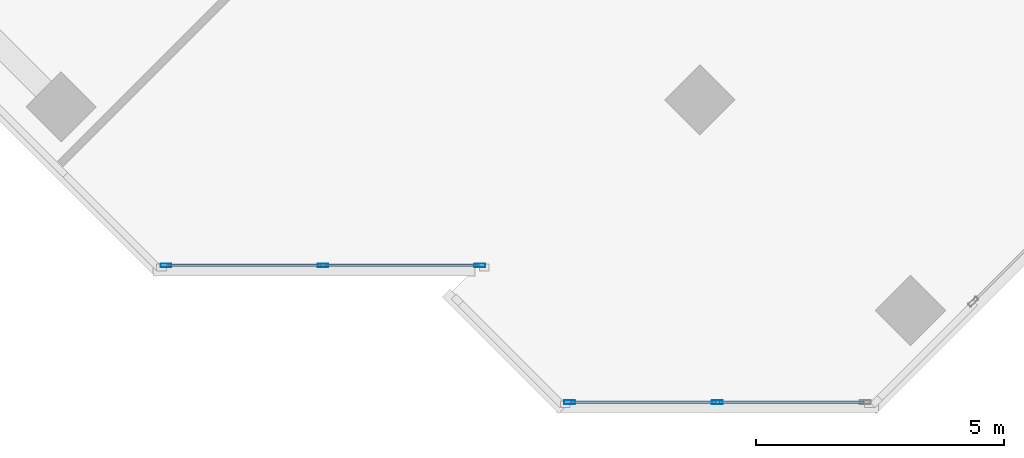
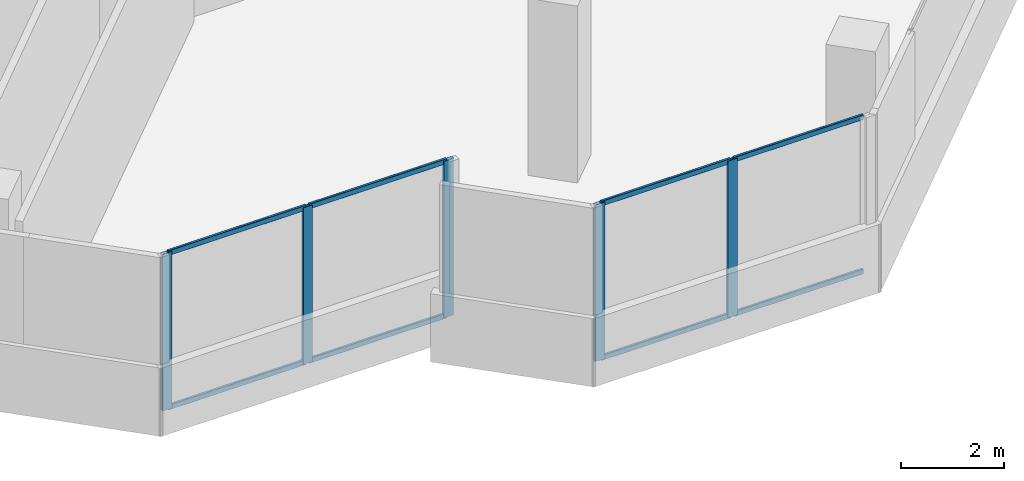
# One storey, part 3 of 18: 13 members, 2 elements without a shape of their own.
"""IFC4 building model written with IfcOpenShell, lengths in metres."""

import ifcopenshell
import ifcopenshell.guid

model = None  # the IFC model being written
_history = None  # IfcOwnerHistory: only IFC2X3 demands one
_inside = {}  # id of a spatial element -> (the spatial element, [elements in it])
_under = {}  # id of a project, library or spatial element -> (it, [spatial elements below it])
_declared = {}  # id of a project -> (the project, [libraries it declares])
_typed = {}  # id of a type object -> (the type object, [elements of that type])
_made_of = {}  # id of a material, layer set ... -> (it, [elements and type objects made of it])


def new_model(schema):
    """Start an empty IFC model of exactly this schema.

    Asked for "IFC4X3", IfcOpenShell would pick the latest addendum, in which some entities
    have other attributes; the version numbers below select the first issue.
    IFC2X3 requires an IfcOwnerHistory on every rooted entity: one is made here for all.
    """
    global model, _history
    if schema == "IFC4X3":
        model = ifcopenshell.file(schema_version=(4, 3, 0, 0))
    else:
        model = ifcopenshell.file(schema=schema)
    _inside.clear()
    _under.clear()
    _declared.clear()
    _typed.clear()
    _made_of.clear()
    _history = None
    if model.schema == "IFC2X3":
        org = make("IfcOrganization", Name="unknown")
        user = make(
            "IfcPersonAndOrganization",
            ThePerson=make("IfcPerson", FamilyName="unknown"),
            TheOrganization=org,
        )
        app = make(
            "IfcApplication",
            ApplicationDeveloper=org,
            Version="unknown",
            ApplicationFullName="unknown",
            ApplicationIdentifier="unknown",
        )
        _history = make(
            "IfcOwnerHistory",
            OwningUser=user,
            OwningApplication=app,
            ChangeAction="ADDED",
            CreationDate=0,
        )
    return model


def make(cls, **values):
    """One entity of the class cls with the attributes given. An attribute that is None is left unset."""
    return model.create_entity(
        cls, **{name: value for name, value in values.items() if value is not None}
    )


def rooted(cls, **values):
    """An entity with a GlobalId (a new one), such as an element, a storey or a relation."""
    return make(cls, GlobalId=ifcopenshell.guid.new(), OwnerHistory=_history, **values)


def si_unit(unit_type, name, prefix=None):
    """IfcSIUnit, for example si_unit("LENGTHUNIT", "METRE", prefix="MILLI")."""
    return make("IfcSIUnit", UnitType=unit_type, Prefix=prefix, Name=name)


def assignment(units):
    """IfcUnitAssignment: the units of a project."""
    return None if units is None else make("IfcUnitAssignment", Units=units)


def point(xyz):
    """IfcCartesianPoint."""
    return None if xyz is None else make("IfcCartesianPoint", Coordinates=xyz)


def direction(xyz):
    """IfcDirection."""
    return None if xyz is None else make("IfcDirection", DirectionRatios=xyz)


def frame(location, z_axis=None, x_axis=None):
    """IfcAxis2Placement3D, a coordinate frame: its origin and axes. An axis left out is left unset."""
    return make(
        "IfcAxis2Placement3D",
        Location=point(location),
        Axis=direction(z_axis),
        RefDirection=direction(x_axis),
    )


def frame_2d(location, x_axis=None):
    """IfcAxis2Placement2D, a coordinate frame in the plane: its origin and x axis."""
    return make(
        "IfcAxis2Placement2D", Location=point(location), RefDirection=direction(x_axis)
    )


def origin():
    """The frame at (0, 0, 0) with its axes left unset."""
    return frame((0.0, 0.0, 0.0))


def origin_2d():
    """The frame at (0, 0) in the plane with its x axis left unset."""
    return frame_2d((0.0, 0.0))


def place(relative_to, where):
    """IfcLocalPlacement: puts the frame where relative to a parent placement (None: the world)."""
    return make(
        "IfcLocalPlacement", PlacementRelTo=relative_to, RelativePlacement=where
    )


def context(
    kind, dimensions, precision=None, world=None, true_north=None, identifier=None
):
    """IfcGeometricRepresentationContext, for example the 3D "Model" context."""
    return make(
        "IfcGeometricRepresentationContext",
        ContextIdentifier=identifier,
        ContextType=kind,
        CoordinateSpaceDimension=dimensions,
        Precision=precision,
        WorldCoordinateSystem=world,
        TrueNorth=true_north,
    )


def subcontext(parent, identifier, kind, view, scale=None):
    """IfcGeometricRepresentationSubContext, for example "Body" below "Model"."""
    return make(
        "IfcGeometricRepresentationSubContext",
        ContextIdentifier=identifier,
        ContextType=kind,
        ParentContext=parent,
        TargetScale=scale,
        TargetView=view,
    )


def project(units=None, contexts=None):
    """IfcProject with its units and contexts."""
    return rooted(
        "IfcProject",
        Name="project",
        RepresentationContexts=contexts,
        UnitsInContext=assignment(units),
    )


def spatial(cls, under=None, at=None, **own):
    """A site, building, storey or space (cls), placed at a placement, below another one or the project."""
    s = rooted(cls, ObjectPlacement=at, **own)
    if under is not None:
        _under.setdefault(under.id(), (under, []))[1].append(s)
    return s


def profile(cls, at=None, kind="AREA", **sizes):
    """A parametric profile (cls). Its sizes go by their IFC names, for example OverallWidth=200.0."""
    return make(cls, ProfileType=kind, Position=at, **sizes)


def hollow_rectangle(**sizes):
    """IfcRectangleHollowProfileDef."""
    return profile("IfcRectangleHollowProfileDef", **sizes)


def extrude(swept, where, along, depth):
    """IfcExtrudedAreaSolid: the profile swept, set in the frame where, extruded along a direction by depth."""
    return make(
        "IfcExtrudedAreaSolid",
        SweptArea=swept,
        Position=where,
        ExtrudedDirection=direction(along),
        Depth=depth,
    )


def shape(context_of_items, identifier, shape_type, items):
    """IfcShapeRepresentation: the items that make up one representation, for example the "Body"."""
    return make(
        "IfcShapeRepresentation",
        ContextOfItems=context_of_items,
        RepresentationIdentifier=identifier,
        RepresentationType=shape_type,
        Items=items,
    )


def source(mapping_origin, context_of_items, identifier, shape_type, items):
    """IfcRepresentationMap: a shape defined once, which mapped items show again and again."""
    return make(
        "IfcRepresentationMap",
        MappingOrigin=mapping_origin,
        MappedRepresentation=shape(context_of_items, identifier, shape_type, items),
    )


def transform(
    local_origin,
    x_axis=None,
    y_axis=None,
    z_axis=None,
    scale=None,
    scale2=None,
    scale3=None,
    uniform=True,
):
    """IfcCartesianTransformationOperator3D, or its non-uniform kind. x_axis, y_axis, z_axis: its Axis1, 2, 3."""
    if uniform:
        return make(
            "IfcCartesianTransformationOperator3D",
            Axis1=direction(x_axis),
            Axis2=direction(y_axis),
            LocalOrigin=point(local_origin),
            Scale=scale,
            Axis3=direction(z_axis),
        )
    return make(
        "IfcCartesianTransformationOperator3DnonUniform",
        Axis1=direction(x_axis),
        Axis2=direction(y_axis),
        LocalOrigin=point(local_origin),
        Scale=scale,
        Axis3=direction(z_axis),
        Scale2=scale2,
        Scale3=scale3,
    )


def mapped(mapping_source, mapping_target):
    """IfcMappedItem: shows the shape of a source again, moved by a transform."""
    return make(
        "IfcMappedItem", MappingSource=mapping_source, MappingTarget=mapping_target
    )


def material(Name=None, Category=None):
    """IfcMaterial."""
    return make("IfcMaterial", Name=Name, Category=Category)


def material_profile(
    of_material, cross_section, Name=None, Category=None, Priority=None
):
    """IfcMaterialProfile: a cross section and its material."""
    return make(
        "IfcMaterialProfile",
        Name=Name,
        Material=of_material,
        Profile=cross_section,
        Priority=Priority,
        Category=Category,
    )


def profile_set(profiles, Name=None, composite=None):
    """IfcMaterialProfileSet."""
    return make(
        "IfcMaterialProfileSet",
        Name=Name,
        MaterialProfiles=profiles,
        CompositeProfile=composite,
    )


def made_of(thing, what):
    """Note that an element or type object is made of a material, layer set ...; save() writes the relation."""
    if what is not None:
        _made_of.setdefault(what.id(), (what, []))[1].append(thing)
    return thing


def type_object(cls, material=None, **own):
    """A type object (cls), such as IfcWallType, which elements share."""
    return made_of(rooted(cls, **own), material)


def element(
    cls,
    number,
    at=None,
    inside=None,
    cuts=None,
    type_object=None,
    material=None,
    context=None,
    identifier="Body",
    shape_type=None,
    held_by="IfcProductDefinitionShape",
    body=None,
    shapes=None,
    **own,
):
    """One element of the class cls, such as IfcWall. Its Tag is "e" and its number.

    at: its placement. inside: the storey or other place that contains it. cuts: it is an
    opening in that element (IfcRelVoidsElement). A single representation is given by context,
    identifier, shape_type and body (its items); several are given by shapes. held_by: the class
    of the entity that holds the representations. save() writes the other relations.
    """
    e = rooted(cls, Tag="e%d" % number, ObjectPlacement=at, **own)
    if body is not None:
        shapes = [shape(context, identifier, shape_type, body)]
    if shapes is not None:
        e.Representation = make(held_by, Representations=shapes)
    if inside is not None:
        _inside.setdefault(inside.id(), (inside, []))[1].append(e)
    if cuts is not None:
        rooted(
            "IfcRelVoidsElement", RelatingBuildingElement=cuts, RelatedOpeningElement=e
        )
    if type_object is not None:
        _typed.setdefault(type_object.id(), (type_object, []))[1].append(e)
    return made_of(e, material)


def aggregate(whole, parts):
    """IfcRelAggregates: a whole, such as a stair, and the parts it consists of."""
    return rooted("IfcRelAggregates", RelatingObject=whole, RelatedObjects=parts)


def save(model, path):
    """Write the relations noted so far, then the file.

    IfcRelAggregates (storeys below a building ...), IfcRelContainedInSpatialStructure (elements
    in a storey), IfcRelDefinesByType, IfcRelAssociatesMaterial and IfcRelDeclares: one each for
    every whole, place, type object, material and project.
    """
    for whole, parts in _under.values():
        aggregate(whole, parts)
    for where, things in _inside.values():
        rooted(
            "IfcRelContainedInSpatialStructure",
            RelatedElements=things,
            RelatingStructure=where,
        )
    for kind, things in _typed.values():
        rooted("IfcRelDefinesByType", RelatedObjects=things, RelatingType=kind)
    for what, things in _made_of.values():
        rooted("IfcRelAssociatesMaterial", RelatedObjects=things, RelatingMaterial=what)
    for by, libraries in _declared.values():
        rooted("IfcRelDeclares", RelatingContext=by, RelatedDefinitions=libraries)
    model.write(path)


model = new_model("IFC4")

# Units and contexts
model_context = context("Model", 3, precision=1e-05, world=origin(), true_north=direction((0.0, 1.0)))
body_context = subcontext(model_context, "Body", "Model", "MODEL_VIEW")
ifc_project = project(units=[si_unit("LENGTHUNIT", "METRE"), si_unit("AREAUNIT", "SQUARE_METRE"), si_unit("VOLUMEUNIT", "CUBIC_METRE"), si_unit("PLANEANGLEUNIT", "RADIAN"), si_unit("MASSUNIT", "GRAM", prefix="KILO")], contexts=[model_context])

# Site, building, storey
site_placement = place(None, origin())
site = spatial("IfcSite", under=ifc_project, at=site_placement, CompositionType="ELEMENT")
building_placement = place(site_placement, origin())
building = spatial("IfcBuilding", under=site, at=building_placement, Name="Torre Montelarca", CompositionType="ELEMENT")
storey_placement = place(building_placement, frame((0.0, 0.0, 245.800048828125)))
storey = spatial("IfcBuildingStorey", under=building, at=storey_placement, Name="L55", CompositionType="ELEMENT", Elevation=245.800048828125)

# Curtain wall, members
ifc_material_1 = material(Name="Insulated low-E laminated glass", Category="glass")
curtain_wall_type = type_object("IfcCurtainWallType", Name="CW-SYS-Z3", PredefinedType="USERDEFINED", material=ifc_material_1)
curtain_wall_1_placement = place(storey_placement, origin())
curtain_wall_1 = element("IfcCurtainWall", 1, at=curtain_wall_1_placement, inside=storey, type_object=curtain_wall_type, Name="L55 Curtain Wall Run CW-T3-L55-E02-B1", ObjectType="UNITISED GLAZING", PredefinedType="USERDEFINED")
ifc_material_2 = material(Name="Anodised aluminium AA 6063-T6", Category="aluminium")
ifc_material_profile_1 = material_profile(ifc_material_2, hollow_rectangle(XDim=0.054931640625, YDim=0.1201171875, WallThickness=0.00341796875, InnerFilletRadius=0.00341796875, OuterFilletRadius=0.007080078125, at=origin_2d()), Name="ALU55X120X3.5", Category="aluminium")
ifc_profile_set_1 = profile_set([ifc_material_profile_1], Name="Anodised aluminium AA 6063-T6")
member_type_1 = type_object("IfcMemberType", Name="CWT-ALU120", PredefinedType="USERDEFINED", material=ifc_profile_set_1)
shared_shape_1 = source(origin(), body_context, "Body", "SweptSolid", [
    extrude(hollow_rectangle(XDim=0.054931640625, YDim=0.1201171875, WallThickness=0.00341796875, InnerFilletRadius=0.00341796875, OuterFilletRadius=0.007080078125, at=origin_2d()), origin(), (0.0, 0.0, 1.0), 3.08740234375),
])
member_1_placement = place(storey_placement, frame((18.539306640625, 12.75537109375, 0.02734375), z_axis=(1.0, 0.0, 0.0), x_axis=(0.0, 1.0, 0.0)))
member_1 = element("IfcMember", 2, at=member_1_placement, type_object=member_type_1, Name="CW transom 2.1", ObjectType="TRANSOM", PredefinedType="USERDEFINED", context=body_context, shape_type="MappedRepresentation", body=[
    mapped(shared_shape_1, transform((0.0, 0.0, 0.0), scale=1.0)),
])
member_2_placement = place(storey_placement, frame((18.539306640625, 12.75537109375, 3.6923828125), z_axis=(1.0, 0.0, 0.0), x_axis=(0.0, 1.0, 0.0)))
member_2 = element("IfcMember", 3, at=member_2_placement, type_object=member_type_1, Name="CW transom 2.2", ObjectType="TRANSOM", PredefinedType="USERDEFINED", context=body_context, shape_type="MappedRepresentation", body=[
    mapped(shared_shape_1, transform((0.0, 0.0, 0.0), scale=1.0)),
])

curtain_wall_2_placement = place(storey_placement, origin())
curtain_wall_2 = element("IfcCurtainWall", 4, at=curtain_wall_2_placement, inside=storey, type_object=curtain_wall_type, Name="L55 Curtain Wall Run CW-T3-L55-E05-B1", ObjectType="UNITISED GLAZING", PredefinedType="USERDEFINED")
shared_shape_2 = source(origin(), body_context, "Body", "SweptSolid", [
    extrude(hollow_rectangle(XDim=0.054931640625, YDim=0.1201171875, WallThickness=0.00341796875, InnerFilletRadius=0.00341796875, OuterFilletRadius=0.007080078125, at=origin_2d()), origin(), (0.0, 0.0, 1.0), 2.903564453125),
])
member_3_placement = place(storey_placement, frame((26.4873046875, 9.99755859375, 0.02734375), z_axis=(1.0, 0.0, 0.0), x_axis=(0.0, 1.0, 0.0)))
member_3 = element("IfcMember", 5, at=member_3_placement, type_object=member_type_1, Name="CW transom 2.1", ObjectType="TRANSOM", PredefinedType="USERDEFINED", context=body_context, shape_type="MappedRepresentation", body=[
    mapped(shared_shape_2, transform((0.0, 0.0, 0.0), scale=1.0)),
])
member_4_placement = place(storey_placement, frame((26.4873046875, 9.99755859375, 3.6923828125), z_axis=(1.0, 0.0, 0.0), x_axis=(0.0, 1.0, 0.0)))
member_4 = element("IfcMember", 6, at=member_4_placement, type_object=member_type_1, Name="CW transom 2.2", ObjectType="TRANSOM", PredefinedType="USERDEFINED", context=body_context, shape_type="MappedRepresentation", body=[
    mapped(shared_shape_2, transform((0.0, 0.0, 0.0), scale=1.0)),
])

# Member
ifc_material_profile_2 = material_profile(ifc_material_2, hollow_rectangle(XDim=0.074951171875, YDim=0.219970703125, WallThickness=0.0048828125, InnerFilletRadius=0.0048828125, OuterFilletRadius=0.010009765625, at=origin_2d()), Name="ALU75X220X5", Category="aluminium")
ifc_profile_set_2 = profile_set([ifc_material_profile_2], Name="Anodised aluminium AA 6063-T6")
member_type_2 = type_object("IfcMemberType", Name="CWM-ALU220", PredefinedType="MULLION", material=ifc_profile_set_2)
shared_shape_3 = source(origin(), body_context, "Body", "SweptSolid", [
    extrude(hollow_rectangle(XDim=0.074951171875, YDim=0.219970703125, WallThickness=0.0048828125, InnerFilletRadius=0.0048828125, OuterFilletRadius=0.010009765625, at=origin_2d()), origin(), (0.0, 0.0, 1.0), 3.719970703125),
])
member_5_placement = place(storey_placement, frame((15.33935546875, 12.75537109375, 0.0), z_axis=(0.0, 0.0, 1.0), x_axis=(0.0, 1.0, 0.0)))
member_5 = element("IfcMember", 7, at=member_5_placement, type_object=member_type_2, Name="CW mullion 1", PredefinedType="MULLION", context=body_context, shape_type="MappedRepresentation", body=[
    mapped(shared_shape_3, transform((0.0, 0.0, 0.0), scale=1.0)),
])

member_6_placement = place(storey_placement, frame((18.501708984375, 12.75537109375, 0.0), z_axis=(0.0, 0.0, 1.0), x_axis=(0.0, 1.0, 0.0)))
member_6 = element("IfcMember", 8, at=member_6_placement, type_object=member_type_2, Name="CW mullion 2", PredefinedType="MULLION", context=body_context, shape_type="MappedRepresentation", body=[
    mapped(shared_shape_3, transform((0.0, 0.0, 0.0), scale=1.0)),
])

member_7_placement = place(storey_placement, frame((21.664306640625, 12.75537109375, 0.0), z_axis=(0.0, 0.0, 1.0), x_axis=(0.0, 1.0, 0.0)))
member_7 = element("IfcMember", 9, at=member_7_placement, type_object=member_type_2, Name="CW mullion 3", PredefinedType="MULLION", context=body_context, shape_type="MappedRepresentation", body=[
    mapped(shared_shape_3, transform((0.0, 0.0, 0.0), scale=1.0)),
])

member_8_placement = place(storey_placement, frame((23.47119140625, 9.99755859375, 0.0), z_axis=(0.0, 0.0, 1.0), x_axis=(0.0, 1.0, 0.0)))
member_8 = element("IfcMember", 10, at=member_8_placement, type_object=member_type_2, Name="CW mullion 1", PredefinedType="MULLION", context=body_context, shape_type="MappedRepresentation", body=[
    mapped(shared_shape_3, transform((0.0, 0.0, 0.0), scale=1.0)),
])

member_9_placement = place(storey_placement, frame((26.44970703125, 9.99755859375, 0.0), z_axis=(0.0, 0.0, 1.0), x_axis=(0.0, 1.0, 0.0)))
member_9 = element("IfcMember", 11, at=member_9_placement, type_object=member_type_2, Name="CW mullion 2", PredefinedType="MULLION", context=body_context, shape_type="MappedRepresentation", body=[
    mapped(shared_shape_3, transform((0.0, 0.0, 0.0), scale=1.0)),
])

shared_shape_4 = source(origin(), body_context, "Body", "SweptSolid", [
    extrude(hollow_rectangle(XDim=0.054931640625, YDim=0.1201171875, WallThickness=0.00341796875, InnerFilletRadius=0.00341796875, OuterFilletRadius=0.007080078125, at=origin_2d()), origin(), (0.0, 0.0, 1.0), 3.087646484375),
])
member_10_placement = place(storey_placement, frame((15.376708984375, 12.75537109375, 0.02734375), z_axis=(1.0, 0.0, 0.0), x_axis=(0.0, 1.0, 0.0)))
member_10 = element("IfcMember", 12, at=member_10_placement, type_object=member_type_1, Name="CW transom 1.1", ObjectType="TRANSOM", PredefinedType="USERDEFINED", context=body_context, shape_type="MappedRepresentation", body=[
    mapped(shared_shape_4, transform((0.0, 0.0, 0.0), scale=1.0)),
])

member_11_placement = place(storey_placement, frame((15.376708984375, 12.75537109375, 3.6923828125), z_axis=(1.0, 0.0, 0.0), x_axis=(0.0, 1.0, 0.0)))
member_11 = element("IfcMember", 13, at=member_11_placement, type_object=member_type_1, Name="CW transom 1.2", ObjectType="TRANSOM", PredefinedType="USERDEFINED", context=body_context, shape_type="MappedRepresentation", body=[
    mapped(shared_shape_4, transform((0.0, 0.0, 0.0), scale=1.0)),
])

aggregate(curtain_wall_1, [member_5, member_6, member_7, member_10, member_11, member_1, member_2])

shared_shape_5 = source(origin(), body_context, "Body", "SweptSolid", [
    extrude(hollow_rectangle(XDim=0.054931640625, YDim=0.1201171875, WallThickness=0.00341796875, InnerFilletRadius=0.00341796875, OuterFilletRadius=0.007080078125, at=origin_2d()), origin(), (0.0, 0.0, 1.0), 2.90380859375),
])
member_12_placement = place(storey_placement, frame((23.508544921875, 9.99755859375, 0.02734375), z_axis=(1.0, 0.0, 0.0), x_axis=(0.0, 1.0, 0.0)))
member_12 = element("IfcMember", 14, at=member_12_placement, type_object=member_type_1, Name="CW transom 1.1", ObjectType="TRANSOM", PredefinedType="USERDEFINED", context=body_context, shape_type="MappedRepresentation", body=[
    mapped(shared_shape_5, transform((0.0, 0.0, 0.0), scale=1.0)),
])

member_13_placement = place(storey_placement, frame((23.508544921875, 9.99755859375, 3.6923828125), z_axis=(1.0, 0.0, 0.0), x_axis=(0.0, 1.0, 0.0)))
member_13 = element("IfcMember", 15, at=member_13_placement, type_object=member_type_1, Name="CW transom 1.2", ObjectType="TRANSOM", PredefinedType="USERDEFINED", context=body_context, shape_type="MappedRepresentation", body=[
    mapped(shared_shape_5, transform((0.0, 0.0, 0.0), scale=1.0)),
])

aggregate(curtain_wall_2, [member_8, member_9, member_12, member_13, member_3, member_4])

save(model, "model.ifc")
